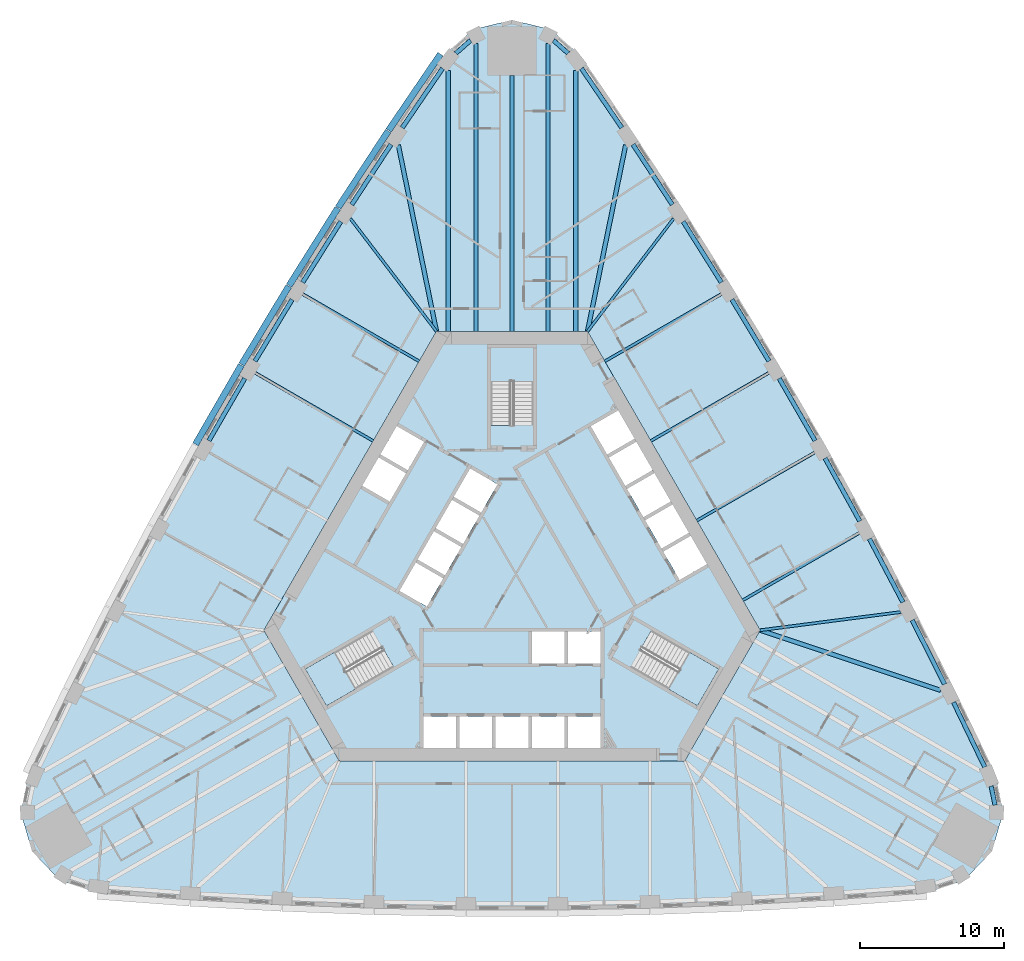
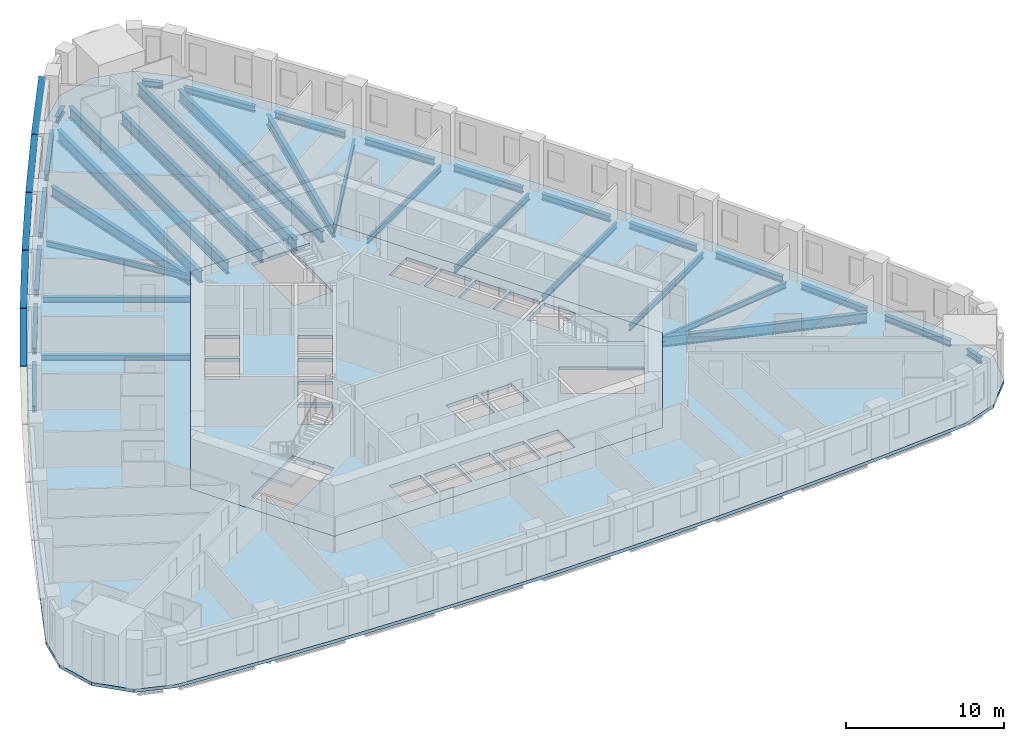
# One storey, part 2 of 12: 34 beams, 5 members, 5 slabs, 3 elements without a shape of their own.
"""IFC4 building model written with IfcOpenShell, lengths in metres."""

import ifcopenshell
import ifcopenshell.guid

model = None  # the IFC model being written
_history = None  # IfcOwnerHistory: only IFC2X3 demands one
_inside = {}  # id of a spatial element -> (the spatial element, [elements in it])
_under = {}  # id of a project, library or spatial element -> (it, [spatial elements below it])
_declared = {}  # id of a project -> (the project, [libraries it declares])
_typed = {}  # id of a type object -> (the type object, [elements of that type])
_made_of = {}  # id of a material, layer set ... -> (it, [elements and type objects made of it])


def new_model(schema):
    """Start an empty IFC model of exactly this schema.

    Asked for "IFC4X3", IfcOpenShell would pick the latest addendum, in which some entities
    have other attributes; the version numbers below select the first issue.
    IFC2X3 requires an IfcOwnerHistory on every rooted entity: one is made here for all.
    """
    global model, _history
    if schema == "IFC4X3":
        model = ifcopenshell.file(schema_version=(4, 3, 0, 0))
    else:
        model = ifcopenshell.file(schema=schema)
    _inside.clear()
    _under.clear()
    _declared.clear()
    _typed.clear()
    _made_of.clear()
    _history = None
    if model.schema == "IFC2X3":
        org = make("IfcOrganization", Name="unknown")
        user = make(
            "IfcPersonAndOrganization",
            ThePerson=make("IfcPerson", FamilyName="unknown"),
            TheOrganization=org,
        )
        app = make(
            "IfcApplication",
            ApplicationDeveloper=org,
            Version="unknown",
            ApplicationFullName="unknown",
            ApplicationIdentifier="unknown",
        )
        _history = make(
            "IfcOwnerHistory",
            OwningUser=user,
            OwningApplication=app,
            ChangeAction="ADDED",
            CreationDate=0,
        )
    return model


def make(cls, **values):
    """One entity of the class cls with the attributes given. An attribute that is None is left unset."""
    return model.create_entity(
        cls, **{name: value for name, value in values.items() if value is not None}
    )


def rooted(cls, **values):
    """An entity with a GlobalId (a new one), such as an element, a storey or a relation."""
    return make(cls, GlobalId=ifcopenshell.guid.new(), OwnerHistory=_history, **values)


def si_unit(unit_type, name, prefix=None):
    """IfcSIUnit, for example si_unit("LENGTHUNIT", "METRE", prefix="MILLI")."""
    return make("IfcSIUnit", UnitType=unit_type, Prefix=prefix, Name=name)


def assignment(units):
    """IfcUnitAssignment: the units of a project."""
    return None if units is None else make("IfcUnitAssignment", Units=units)


def point(xyz):
    """IfcCartesianPoint."""
    return None if xyz is None else make("IfcCartesianPoint", Coordinates=xyz)


def direction(xyz):
    """IfcDirection."""
    return None if xyz is None else make("IfcDirection", DirectionRatios=xyz)


def frame(location, z_axis=None, x_axis=None):
    """IfcAxis2Placement3D, a coordinate frame: its origin and axes. An axis left out is left unset."""
    return make(
        "IfcAxis2Placement3D",
        Location=point(location),
        Axis=direction(z_axis),
        RefDirection=direction(x_axis),
    )


def frame_2d(location, x_axis=None):
    """IfcAxis2Placement2D, a coordinate frame in the plane: its origin and x axis."""
    return make(
        "IfcAxis2Placement2D", Location=point(location), RefDirection=direction(x_axis)
    )


def origin():
    """The frame at (0, 0, 0) with its axes left unset."""
    return frame((0.0, 0.0, 0.0))


def origin_2d():
    """The frame at (0, 0) in the plane with its x axis left unset."""
    return frame_2d((0.0, 0.0))


def place(relative_to, where):
    """IfcLocalPlacement: puts the frame where relative to a parent placement (None: the world)."""
    return make(
        "IfcLocalPlacement", PlacementRelTo=relative_to, RelativePlacement=where
    )


def context(
    kind, dimensions, precision=None, world=None, true_north=None, identifier=None
):
    """IfcGeometricRepresentationContext, for example the 3D "Model" context."""
    return make(
        "IfcGeometricRepresentationContext",
        ContextIdentifier=identifier,
        ContextType=kind,
        CoordinateSpaceDimension=dimensions,
        Precision=precision,
        WorldCoordinateSystem=world,
        TrueNorth=true_north,
    )


def subcontext(parent, identifier, kind, view, scale=None):
    """IfcGeometricRepresentationSubContext, for example "Body" below "Model"."""
    return make(
        "IfcGeometricRepresentationSubContext",
        ContextIdentifier=identifier,
        ContextType=kind,
        ParentContext=parent,
        TargetScale=scale,
        TargetView=view,
    )


def project(units=None, contexts=None):
    """IfcProject with its units and contexts."""
    return rooted(
        "IfcProject",
        Name="project",
        RepresentationContexts=contexts,
        UnitsInContext=assignment(units),
    )


def spatial(cls, under=None, at=None, **own):
    """A site, building, storey or space (cls), placed at a placement, below another one or the project."""
    s = rooted(cls, ObjectPlacement=at, **own)
    if under is not None:
        _under.setdefault(under.id(), (under, []))[1].append(s)
    return s


def polyline(points):
    """IfcPolyline through the points."""
    return make("IfcPolyline", Points=[point(p) for p in points])


def profile(cls, at=None, kind="AREA", **sizes):
    """A parametric profile (cls). Its sizes go by their IFC names, for example OverallWidth=200.0."""
    return make(cls, ProfileType=kind, Position=at, **sizes)


def rectangle(**sizes):
    """IfcRectangleProfileDef."""
    return profile("IfcRectangleProfileDef", **sizes)


def i_section(**sizes):
    """IfcIShapeProfileDef."""
    return profile("IfcIShapeProfileDef", **sizes)


def outline(outer, holes=None, kind="AREA"):
    """IfcArbitraryClosedProfileDef: a profile drawn as a closed curve; with holes, ...WithVoids."""
    if holes is None:
        return make("IfcArbitraryClosedProfileDef", ProfileType=kind, OuterCurve=outer)
    return make(
        "IfcArbitraryProfileDefWithVoids",
        ProfileType=kind,
        OuterCurve=outer,
        InnerCurves=holes,
    )


def extrude(swept, where, along, depth):
    """IfcExtrudedAreaSolid: the profile swept, set in the frame where, extruded along a direction by depth."""
    return make(
        "IfcExtrudedAreaSolid",
        SweptArea=swept,
        Position=where,
        ExtrudedDirection=direction(along),
        Depth=depth,
    )


def shape(context_of_items, identifier, shape_type, items):
    """IfcShapeRepresentation: the items that make up one representation, for example the "Body"."""
    return make(
        "IfcShapeRepresentation",
        ContextOfItems=context_of_items,
        RepresentationIdentifier=identifier,
        RepresentationType=shape_type,
        Items=items,
    )


def material(Name=None, Category=None):
    """IfcMaterial."""
    return make("IfcMaterial", Name=Name, Category=Category)


def layer(
    of_material, thickness, ventilated=None, Name=None, Category=None, Priority=None
):
    """IfcMaterialLayer: one layer of a wall or slab, of a material (None: an air gap)."""
    return make(
        "IfcMaterialLayer",
        Material=of_material,
        LayerThickness=thickness,
        IsVentilated=ventilated,
        Name=Name,
        Category=Category,
        Priority=Priority,
    )


def layer_set(layers, Name=None):
    """IfcMaterialLayerSet."""
    return make("IfcMaterialLayerSet", MaterialLayers=layers, LayerSetName=Name)


def material_profile(
    of_material, cross_section, Name=None, Category=None, Priority=None
):
    """IfcMaterialProfile: a cross section and its material."""
    return make(
        "IfcMaterialProfile",
        Name=Name,
        Material=of_material,
        Profile=cross_section,
        Priority=Priority,
        Category=Category,
    )


def profile_set(profiles, Name=None, composite=None):
    """IfcMaterialProfileSet."""
    return make(
        "IfcMaterialProfileSet",
        Name=Name,
        MaterialProfiles=profiles,
        CompositeProfile=composite,
    )


def made_of(thing, what):
    """Note that an element or type object is made of a material, layer set ...; save() writes the relation."""
    if what is not None:
        _made_of.setdefault(what.id(), (what, []))[1].append(thing)
    return thing


def type_object(cls, material=None, **own):
    """A type object (cls), such as IfcWallType, which elements share."""
    return made_of(rooted(cls, **own), material)


def element(
    cls,
    number,
    at=None,
    inside=None,
    cuts=None,
    type_object=None,
    material=None,
    context=None,
    identifier="Body",
    shape_type=None,
    held_by="IfcProductDefinitionShape",
    body=None,
    shapes=None,
    **own,
):
    """One element of the class cls, such as IfcWall. Its Tag is "e" and its number.

    at: its placement. inside: the storey or other place that contains it. cuts: it is an
    opening in that element (IfcRelVoidsElement). A single representation is given by context,
    identifier, shape_type and body (its items); several are given by shapes. held_by: the class
    of the entity that holds the representations. save() writes the other relations.
    """
    e = rooted(cls, Tag="e%d" % number, ObjectPlacement=at, **own)
    if body is not None:
        shapes = [shape(context, identifier, shape_type, body)]
    if shapes is not None:
        e.Representation = make(held_by, Representations=shapes)
    if inside is not None:
        _inside.setdefault(inside.id(), (inside, []))[1].append(e)
    if cuts is not None:
        rooted(
            "IfcRelVoidsElement", RelatingBuildingElement=cuts, RelatedOpeningElement=e
        )
    if type_object is not None:
        _typed.setdefault(type_object.id(), (type_object, []))[1].append(e)
    return made_of(e, material)


def aggregate(whole, parts):
    """IfcRelAggregates: a whole, such as a stair, and the parts it consists of."""
    return rooted("IfcRelAggregates", RelatingObject=whole, RelatedObjects=parts)


def save(model, path):
    """Write the relations noted so far, then the file.

    IfcRelAggregates (storeys below a building ...), IfcRelContainedInSpatialStructure (elements
    in a storey), IfcRelDefinesByType, IfcRelAssociatesMaterial and IfcRelDeclares: one each for
    every whole, place, type object, material and project.
    """
    for whole, parts in _under.values():
        aggregate(whole, parts)
    for where, things in _inside.values():
        rooted(
            "IfcRelContainedInSpatialStructure",
            RelatedElements=things,
            RelatingStructure=where,
        )
    for kind, things in _typed.values():
        rooted("IfcRelDefinesByType", RelatedObjects=things, RelatingType=kind)
    for what, things in _made_of.values():
        rooted("IfcRelAssociatesMaterial", RelatedObjects=things, RelatingMaterial=what)
    for by, libraries in _declared.values():
        rooted("IfcRelDeclares", RelatingContext=by, RelatedDefinitions=libraries)
    model.write(path)


model = new_model("IFC4")

# Units and contexts
model_context = context("Model", 3, precision=1e-05, world=origin(), true_north=direction((0.0, 1.0)))
body_context = subcontext(model_context, "Body", "Model", "MODEL_VIEW")
ifc_project = project(units=[si_unit("LENGTHUNIT", "METRE"), si_unit("AREAUNIT", "SQUARE_METRE"), si_unit("VOLUMEUNIT", "CUBIC_METRE"), si_unit("PLANEANGLEUNIT", "RADIAN"), si_unit("MASSUNIT", "GRAM", prefix="KILO")], contexts=[model_context])

# Site, building, storey
site_placement = place(None, origin())
site = spatial("IfcSite", under=ifc_project, at=site_placement, CompositionType="ELEMENT")
building_placement = place(site_placement, origin())
building = spatial("IfcBuilding", under=site, at=building_placement, Name="Mestral Congress Tower", CompositionType="ELEMENT")
storey_placement = place(building_placement, frame((0.0, 0.0, 47.10009765625)))
storey = spatial("IfcBuildingStorey", under=building, at=storey_placement, Name="L10", CompositionType="ELEMENT", Elevation=47.10009765625)

# Members
ifc_material_1 = material(Name="Glazed ceramic", Category="masonry")
ifc_material_profile_1 = material_profile(ifc_material_1, rectangle(XDim=0.449951171875, YDim=0.06005859375, at=origin_2d()), Name="Ceramic blade 450 x 60")
ifc_profile_set_1 = profile_set([ifc_material_profile_1], Name="Glazed ceramic")
member_type = type_object("IfcMemberType", Name="Facade sunshade blade 450 x 60", PredefinedType="USERDEFINED", material=ifc_profile_set_1)
member_1_placement = place(storey_placement, frame((-4.973388671875, 36.188232421875, 3.27978515625), z_axis=(-0.562633427576, -0.826706493367, 0.0), x_axis=(0.826706493367, -0.562633427576, 0.0)))
element("IfcMember", 1, at=member_1_placement, inside=storey, type_object=member_type, Name="Sunshade F2-00", ObjectType="SUNSHADE", PredefinedType="USERDEFINED", context=body_context, shape_type="SweptSolid", body=[
    extrude(rectangle(XDim=0.449951171875, YDim=0.06005859375, at=origin_2d()), origin(), (0.0, 0.0, 1.0), 6.4208984375),
])
member_2_placement = place(storey_placement, frame((-8.6103515625, 30.843505859375, 3.27978515625), z_axis=(-0.547211145376, -0.836994601163, 0.0), x_axis=(0.836994601163, -0.547211145376, 0.0)))
element("IfcMember", 2, at=member_2_placement, inside=storey, type_object=member_type, Name="Sunshade F2-01", ObjectType="SUNSHADE", PredefinedType="USERDEFINED", context=body_context, shape_type="SweptSolid", body=[
    extrude(rectangle(XDim=0.449951171875, YDim=0.06005859375, at=origin_2d()), origin(), (0.0, 0.0, 1.0), 6.368408203125),
])
for number, where, z_axis, x_axis, name in (
    (3, (-12.119140625, 25.47607421875, 3.27978515625), (-0.531665815747, -0.846954225662, 0.0), (0.846954225662, -0.531665815747, 0.0), "Sunshade F2-02"),
    (4, (-15.528076171875, 20.044921875, 3.27978515625), (-0.515904518528, -0.856646092481, 0.0), (0.856646092481, -0.515904518528, 0.0), "Sunshade F2-03"),
):
    element("IfcMember", number, at=place(storey_placement, frame(where, z_axis=z_axis, x_axis=x_axis)), inside=storey, type_object=member_type, Name=name, ObjectType="SUNSHADE", PredefinedType="USERDEFINED", context=body_context, shape_type="SweptSolid", body=[
        extrude(rectangle(XDim=0.449951171875, YDim=0.06005859375, at=origin_2d()), origin(), (0.0, 0.0, 1.0), 6.3681640625),
    ])
member_3_placement = place(storey_placement, frame((-18.8359375, 14.5517578125, 3.27978515625), z_axis=(-0.499990149842, -0.866031090701, 0.0), x_axis=(0.866031090701, -0.499990149842, 0.0)))
element("IfcMember", 5, at=member_3_placement, inside=storey, type_object=member_type, Name="Sunshade F2-04", ObjectType="SUNSHADE", PredefinedType="USERDEFINED", context=body_context, shape_type="SweptSolid", body=[
    extrude(rectangle(XDim=0.449951171875, YDim=0.06005859375, at=origin_2d()), origin(), (0.0, 0.0, 1.0), 6.368408203125),
])

# Beams
ifc_material_2 = material(Name="Steel S355", Category="steel")
ifc_material_profile_2 = material_profile(ifc_material_2, i_section(OverallWidth=0.300048828125, OverallDepth=0.800048828125, WebThickness=0.017578125, FlangeThickness=0.032958984375, FilletRadius=0.030029296875, at=origin_2d()), Name="HEB 800")
ifc_profile_set_2 = profile_set([ifc_material_profile_2], Name="Steel S355")
beam_type_1 = type_object("IfcBeamType", Name="Floor beam HEB 800 S355", PredefinedType="BEAM", material=ifc_profile_set_2)
for number, where, z_axis, x_axis, name in (
    (6, (29.8203125, -8.08349609375, -0.650146484375), (-0.948734931285, 0.316072824141, 0.0), (-0.316072824141, -0.948734931285, 0.0), "BM-L10-RB1-E01"),
    (7, (7.90966796875, 29.86669921875, -0.650146484375), (-0.200647311614, -0.979663542418, 0.0), (0.979663542418, -0.200647311614, 0.0), "BM-L10-RB1-E08"),
    (8, (-7.90966796875, 29.86669921875, -0.650146484375), (0.200647311614, -0.979663542418, 0.0), (0.979663542418, 0.200647311614, 0.0), "BM-L10-RB1-W01"),
):
    element("IfcBeam", number, at=place(storey_placement, frame(where, z_axis=z_axis, x_axis=x_axis)), inside=storey, type_object=beam_type_1, Name=name, PredefinedType="BEAM", context=body_context, shape_type="SweptSolid", body=[
        extrude(i_section(OverallWidth=0.300048828125, OverallDepth=0.800048828125, WebThickness=0.017578125, FlangeThickness=0.032958984375, FilletRadius=0.030029296875, at=origin_2d()), origin(), (0.0, 0.0, 1.0), 13.236083984375),
    ])
ifc_material_profile_3 = material_profile(ifc_material_2, i_section(OverallWidth=0.300048828125, OverallDepth=0.89990234375, WebThickness=0.0185546875, FlangeThickness=0.034912109375, FilletRadius=0.030029296875, at=origin_2d()), Name="HEB 900")
ifc_profile_set_3 = profile_set([ifc_material_profile_3], Name="Steel S355")
beam_type_2 = type_object("IfcBeamType", Name="Floor beam HEB 900 S355", PredefinedType="BEAM", material=ifc_profile_set_3)
beam_1_placement = place(storey_placement, frame((4.43603515625, 35.052734375, -0.7001953125), z_axis=(0.0, -1.0, 0.0), x_axis=(1.0, 0.0, 0.0)))
element("IfcBeam", 9, at=beam_1_placement, inside=storey, type_object=beam_type_2, Name="BM-L10-RB1-E09", PredefinedType="BEAM", context=body_context, shape_type="SweptSolid", body=[
    extrude(i_section(OverallWidth=0.300048828125, OverallDepth=0.89990234375, WebThickness=0.0185546875, FlangeThickness=0.034912109375, FilletRadius=0.030029296875, at=origin_2d()), origin(), (0.0, 0.0, 1.0), 18.15283203125),
])
beam_2_placement = place(storey_placement, frame((2.503173828125, 36.91943359375, -0.7001953125), z_axis=(0.0, -1.0, 0.0), x_axis=(1.0, 0.0, 0.0)))
element("IfcBeam", 10, at=beam_2_placement, inside=storey, type_object=beam_type_2, Name="BM-L10-RB1-N1", PredefinedType="BEAM", context=body_context, shape_type="SweptSolid", body=[
    extrude(i_section(OverallWidth=0.300048828125, OverallDepth=0.89990234375, WebThickness=0.0185546875, FlangeThickness=0.034912109375, FilletRadius=0.030029296875, at=origin_2d()), origin(), (0.0, 0.0, 1.0), 20.01953125),
])
beam_3_placement = place(storey_placement, frame((0.0, 34.698974609375, -0.7001953125), z_axis=(0.0, -1.0, 0.0), x_axis=(1.0, 0.0, 0.0)))
element("IfcBeam", 11, at=beam_3_placement, inside=storey, type_object=beam_type_2, Name="BM-L10-RB1-N", PredefinedType="BEAM", context=body_context, shape_type="SweptSolid", body=[
    extrude(i_section(OverallWidth=0.300048828125, OverallDepth=0.89990234375, WebThickness=0.0185546875, FlangeThickness=0.034912109375, FilletRadius=0.030029296875, at=origin_2d()), origin(), (0.0, 0.0, 1.0), 17.799072265625),
])
beam_4_placement = place(storey_placement, frame((-2.503173828125, 36.91943359375, -0.7001953125), z_axis=(0.0, -1.0, 0.0), x_axis=(1.0, 0.0, 0.0)))
element("IfcBeam", 12, at=beam_4_placement, inside=storey, type_object=beam_type_2, Name="BM-L10-RB1-N3", PredefinedType="BEAM", context=body_context, shape_type="SweptSolid", body=[
    extrude(i_section(OverallWidth=0.300048828125, OverallDepth=0.89990234375, WebThickness=0.0185546875, FlangeThickness=0.034912109375, FilletRadius=0.030029296875, at=origin_2d()), origin(), (0.0, 0.0, 1.0), 20.01953125),
])
beam_5_placement = place(storey_placement, frame((-4.43603515625, 35.052734375, -0.7001953125), z_axis=(0.0, -1.0, 0.0), x_axis=(1.0, 0.0, 0.0)))
element("IfcBeam", 13, at=beam_5_placement, inside=storey, type_object=beam_type_2, Name="BM-L10-RB1-W00", PredefinedType="BEAM", context=body_context, shape_type="SweptSolid", body=[
    extrude(i_section(OverallWidth=0.300048828125, OverallDepth=0.89990234375, WebThickness=0.0185546875, FlangeThickness=0.034912109375, FilletRadius=0.030029296875, at=origin_2d()), origin(), (0.0, 0.0, 1.0), 18.15283203125),
])
ifc_material_profile_4 = material_profile(ifc_material_2, i_section(OverallWidth=0.18994140625, OverallDepth=0.449951171875, WebThickness=0.009521484375, FlangeThickness=0.0146484375, FilletRadius=0.02099609375, at=origin_2d()), Name="IPE 450")
ifc_profile_set_4 = profile_set([ifc_material_profile_4], Name="Steel S355")
beam_type_3 = type_object("IfcBeamType", Name="Floor beam IPE 450 S355", PredefinedType="BEAM", material=ifc_profile_set_4)
beam_6_placement = place(storey_placement, frame((27.058349609375, -2.6337890625, -0.47509765625), z_axis=(-0.99175011495, -0.128186229747, 0.0), x_axis=(0.128186229747, -0.99175011495, 0.0)))
element("IfcBeam", 14, at=beam_6_placement, inside=storey, type_object=beam_type_3, Name="BM-L10-RB1-E02", PredefinedType="BEAM", context=body_context, shape_type="SweptSolid", body=[
    extrude(i_section(OverallWidth=0.18994140625, OverallDepth=0.449951171875, WebThickness=0.009521484375, FlangeThickness=0.0146484375, FilletRadius=0.02099609375, at=origin_2d()), origin(), (0.0, 0.0, 1.0), 9.877197265625),
])
beam_7_placement = place(storey_placement, frame((24.150634765625, 2.859619140625, -0.47509765625), z_axis=(-0.866032011123, -0.499988555579, 0.0), x_axis=(0.499988555579, -0.866032011123, 0.0)))
element("IfcBeam", 15, at=beam_7_placement, inside=storey, type_object=beam_type_3, Name="BM-L10-RB1-E03", PredefinedType="BEAM", context=body_context, shape_type="SweptSolid", body=[
    extrude(i_section(OverallWidth=0.18994140625, OverallDepth=0.449951171875, WebThickness=0.009521484375, FlangeThickness=0.0146484375, FilletRadius=0.02099609375, at=origin_2d()), origin(), (0.0, 0.0, 1.0), 9.344970703125),
])
for number, where, z_axis, x_axis, name in (
    (16, (21.0537109375, 8.46044921875, -0.47509765625), (-0.866019749231, -0.500009793847, 0.0), (0.500009793847, -0.866019749231, 0.0), "BM-L10-RB1-E04"),
    (17, (17.853759765625, 14.0029296875, -0.47509765625), (-0.866019749231, -0.500009793847, 0.0), (0.500009793847, -0.866019749231, 0.0), "BM-L10-RB1-E05"),
):
    element("IfcBeam", number, at=place(storey_placement, frame(where, z_axis=z_axis, x_axis=x_axis)), inside=storey, type_object=beam_type_3, Name=name, PredefinedType="BEAM", context=body_context, shape_type="SweptSolid", body=[
        extrude(i_section(OverallWidth=0.18994140625, OverallDepth=0.449951171875, WebThickness=0.009521484375, FlangeThickness=0.0146484375, FilletRadius=0.02099609375, at=origin_2d()), origin(), (0.0, 0.0, 1.0), 9.463134765625),
    ])
beam_8_placement = place(storey_placement, frame((14.5517578125, 19.485107421875, -0.47509765625), z_axis=(-0.866025479842, -0.499999868264, 0.0), x_axis=(0.499999868264, -0.866025479842, 0.0)))
element("IfcBeam", 18, at=beam_8_placement, inside=storey, type_object=beam_type_3, Name="BM-L10-RB1-E06", PredefinedType="BEAM", context=body_context, shape_type="SweptSolid", body=[
    extrude(i_section(OverallWidth=0.18994140625, OverallDepth=0.449951171875, WebThickness=0.009521484375, FlangeThickness=0.0146484375, FilletRadius=0.02099609375, at=origin_2d()), origin(), (0.0, 0.0, 1.0), 9.3447265625),
])
for number, where, z_axis, x_axis, name in (
    (19, (11.248291015625, 24.75, -0.47509765625), (-0.606898557801, -0.794779303039, 0.0), (0.794779303039, -0.606898557801, 0.0), "BM-L10-RB1-E07"),
    (20, (-11.248291015625, 24.75, -0.47509765625), (0.606898557801, -0.794779303039, 0.0), (0.794779303039, 0.606898557801, 0.0), "BM-L10-RB1-W02"),
):
    element("IfcBeam", number, at=place(storey_placement, frame(where, z_axis=z_axis, x_axis=x_axis)), inside=storey, type_object=beam_type_3, Name=name, PredefinedType="BEAM", context=body_context, shape_type="SweptSolid", body=[
        extrude(i_section(OverallWidth=0.18994140625, OverallDepth=0.449951171875, WebThickness=0.009521484375, FlangeThickness=0.0146484375, FilletRadius=0.02099609375, at=origin_2d()), origin(), (0.0, 0.0, 1.0), 9.877197265625),
    ])
beam_9_placement = place(storey_placement, frame((-14.5517578125, 19.485107421875, -0.47509765625), z_axis=(0.866025479842, -0.499999868264, 0.0), x_axis=(0.499999868264, 0.866025479842, 0.0)))
element("IfcBeam", 21, at=beam_9_placement, inside=storey, type_object=beam_type_3, Name="BM-L10-RB1-W03", PredefinedType="BEAM", context=body_context, shape_type="SweptSolid", body=[
    extrude(i_section(OverallWidth=0.18994140625, OverallDepth=0.449951171875, WebThickness=0.009521484375, FlangeThickness=0.0146484375, FilletRadius=0.02099609375, at=origin_2d()), origin(), (0.0, 0.0, 1.0), 9.3447265625),
])
beam_10_placement = place(storey_placement, frame((-17.853759765625, 14.0029296875, -0.47509765625), z_axis=(0.866019749231, -0.500009793847, 0.0), x_axis=(0.500009793847, 0.866019749231, 0.0)))
element("IfcBeam", 22, at=beam_10_placement, inside=storey, type_object=beam_type_3, Name="BM-L10-RB1-W04", PredefinedType="BEAM", context=body_context, shape_type="SweptSolid", body=[
    extrude(i_section(OverallWidth=0.18994140625, OverallDepth=0.449951171875, WebThickness=0.009521484375, FlangeThickness=0.0146484375, FilletRadius=0.02099609375, at=origin_2d()), origin(), (0.0, 0.0, 1.0), 9.463134765625),
])
ifc_material_profile_5 = material_profile(ifc_material_2, i_section(OverallWidth=0.300048828125, OverallDepth=0.489990234375, WebThickness=0.011962890625, FlangeThickness=0.02294921875, FilletRadius=0.027099609375, at=origin_2d()), Name="HEA 500")
ifc_profile_set_5 = profile_set([ifc_material_profile_5], Name="Steel S355")
beam_type_4 = type_object("IfcBeamType", Name="Spandrel beam HEA 500 S355", PredefinedType="BEAM", material=ifc_profile_set_5)
beam_11_placement = place(storey_placement, frame((33.611328125, -16.0693359375, -0.4951171875), z_axis=(-0.197991750859, 0.980203686277, 0.0), x_axis=(-0.980203686277, -0.197991750859, 0.0)))
element("IfcBeam", 23, at=beam_11_placement, inside=storey, type_object=beam_type_4, Name="SP-L10-SB1-SE3", PredefinedType="BEAM", context=body_context, shape_type="SweptSolid", body=[
    extrude(i_section(OverallWidth=0.300048828125, OverallDepth=0.489990234375, WebThickness=0.011962890625, FlangeThickness=0.02294921875, FilletRadius=0.027099609375, at=origin_2d()), origin(), (0.0, 0.0, 1.0), 1.3515625),
])
beam_12_placement = place(storey_placement, frame((32.897705078125, -13.415283203125, -0.4951171875), z_axis=(-0.434645244295, 0.900601749727, 0.0), x_axis=(-0.900601749727, -0.434645244295, 0.0)))
element("IfcBeam", 24, at=beam_12_placement, inside=storey, type_object=beam_type_4, Name="SP-L10-SB1-E00", PredefinedType="BEAM", context=body_context, shape_type="SweptSolid", body=[
    extrude(i_section(OverallWidth=0.300048828125, OverallDepth=0.489990234375, WebThickness=0.011962890625, FlangeThickness=0.02294921875, FilletRadius=0.027099609375, at=origin_2d()), origin(), (0.0, 0.0, 1.0), 4.998046875),
])
beam_13_placement = place(storey_placement, frame((30.105224609375, -7.658935546875, -0.4951171875), z_axis=(-0.45123261425, 0.892406369227, 0.0), x_axis=(-0.892406369227, -0.45123261425, 0.0)))
element("IfcBeam", 25, at=beam_13_placement, inside=storey, type_object=beam_type_4, Name="SP-L10-SB1-E01", PredefinedType="BEAM", context=body_context, shape_type="SweptSolid", body=[
    extrude(i_section(OverallWidth=0.300048828125, OverallDepth=0.489990234375, WebThickness=0.011962890625, FlangeThickness=0.02294921875, FilletRadius=0.027099609375, at=origin_2d()), origin(), (0.0, 0.0, 1.0), 4.999755859375),
])
beam_14_placement = place(storey_placement, frame((27.2060546875, -1.95361328125, -0.4951171875), z_axis=(-0.467681307417, 0.883897162962, 0.0), x_axis=(-0.883897162962, -0.467681307417, 0.0)))
element("IfcBeam", 26, at=beam_14_placement, inside=storey, type_object=beam_type_4, Name="SP-L10-SB1-E02", PredefinedType="BEAM", context=body_context, shape_type="SweptSolid", body=[
    extrude(i_section(OverallWidth=0.300048828125, OverallDepth=0.489990234375, WebThickness=0.011962890625, FlangeThickness=0.02294921875, FilletRadius=0.027099609375, at=origin_2d()), origin(), (0.0, 0.0, 1.0), 5.0),
])
for number, where, z_axis, x_axis, name in (
    (27, (24.20166015625, 3.697265625, -0.4951171875), (-0.483900688062, 0.875122919419, 0.0), (-0.875122919419, -0.483900688062, 0.0), "SP-L10-SB1-E03"),
    (28, (21.093505859375, 9.291748046875, -0.4951171875), (-0.50002537861, 0.866010750942, 0.0), (-0.866010750942, -0.50002537861, 0.0), "SP-L10-SB1-E04"),
    (29, (17.88232421875, 14.82763671875, -0.4951171875), (-0.515938385622, 0.85662569553, 0.0), (-0.85662569553, -0.515938385622, 0.0), "SP-L10-SB1-E05"),
    (30, (14.5693359375, 20.302978515625, -0.4951171875), (-0.531661433361, 0.846956976639, 0.0), (-0.846956976639, -0.531661433361, 0.0), "SP-L10-SB1-E06"),
):
    element("IfcBeam", number, at=place(storey_placement, frame(where, z_axis=z_axis, x_axis=x_axis)), inside=storey, type_object=beam_type_4, Name=name, PredefinedType="BEAM", context=body_context, shape_type="SweptSolid", body=[
        extrude(i_section(OverallWidth=0.300048828125, OverallDepth=0.489990234375, WebThickness=0.011962890625, FlangeThickness=0.02294921875, FilletRadius=0.027099609375, at=origin_2d()), origin(), (0.0, 0.0, 1.0), 4.999755859375),
    ])
beam_15_placement = place(storey_placement, frame((11.156005859375, 25.716552734375, -0.4951171875), z_axis=(-0.547263834194, 0.836960151849, 0.0), x_axis=(-0.836960151849, -0.547263834194, 0.0)))
element("IfcBeam", 31, at=beam_15_placement, inside=storey, type_object=beam_type_4, Name="SP-L10-SB1-E07", PredefinedType="BEAM", context=body_context, shape_type="SweptSolid", body=[
    extrude(i_section(OverallWidth=0.300048828125, OverallDepth=0.489990234375, WebThickness=0.011962890625, FlangeThickness=0.02294921875, FilletRadius=0.027099609375, at=origin_2d()), origin(), (0.0, 0.0, 1.0), 5.0),
])
beam_16_placement = place(storey_placement, frame((7.642822265625, 31.06591796875, -0.4951171875), z_axis=(-0.562610596841, 0.826722030868, 0.0), x_axis=(-0.826722030868, -0.562610596841, 0.0)))
element("IfcBeam", 32, at=beam_16_placement, inside=storey, type_object=beam_type_4, Name="SP-L10-SB1-E08", PredefinedType="BEAM", context=body_context, shape_type="SweptSolid", body=[
    extrude(i_section(OverallWidth=0.300048828125, OverallDepth=0.489990234375, WebThickness=0.011962890625, FlangeThickness=0.02294921875, FilletRadius=0.027099609375, at=origin_2d()), origin(), (0.0, 0.0, 1.0), 4.998046875),
])
for number, where, z_axis, x_axis, name in (
    (33, (3.902587890625, 36.248779296875, -0.4951171875), (-0.749806226219, 0.661657481725, 0.0), (-0.661657481725, -0.749806226219, 0.0), "SP-L10-SB1-E09"),
    (34, (-2.88916015625, 37.14306640625, -0.4951171875), (-0.749806226219, -0.661657481725, 0.0), (0.661657481725, -0.749806226219, 0.0), "SP-L10-SB1-N3"),
):
    element("IfcBeam", number, at=place(storey_placement, frame(where, z_axis=z_axis, x_axis=x_axis)), inside=storey, type_object=beam_type_4, Name=name, PredefinedType="BEAM", context=body_context, shape_type="SweptSolid", body=[
        extrude(i_section(OverallWidth=0.300048828125, OverallDepth=0.489990234375, WebThickness=0.011962890625, FlangeThickness=0.02294921875, FilletRadius=0.027099609375, at=origin_2d()), origin(), (0.0, 0.0, 1.0), 1.3515625),
    ])
beam_17_placement = place(storey_placement, frame((-4.830810546875, 35.197998046875, -0.4951171875), z_axis=(-0.562610596841, -0.826722030868, 0.0), x_axis=(0.826722030868, -0.562610596841, 0.0)))
element("IfcBeam", 35, at=beam_17_placement, inside=storey, type_object=beam_type_4, Name="SP-L10-SB1-W00", PredefinedType="BEAM", context=body_context, shape_type="SweptSolid", body=[
    extrude(i_section(OverallWidth=0.300048828125, OverallDepth=0.489990234375, WebThickness=0.011962890625, FlangeThickness=0.02294921875, FilletRadius=0.027099609375, at=origin_2d()), origin(), (0.0, 0.0, 1.0), 4.998046875),
])
beam_18_placement = place(storey_placement, frame((-8.419677734375, 29.9013671875, -0.4951171875), z_axis=(-0.547263834194, -0.836960151849, 0.0), x_axis=(0.836960151849, -0.547263834194, 0.0)))
element("IfcBeam", 36, at=beam_18_placement, inside=storey, type_object=beam_type_4, Name="SP-L10-SB1-W01", PredefinedType="BEAM", context=body_context, shape_type="SweptSolid", body=[
    extrude(i_section(OverallWidth=0.300048828125, OverallDepth=0.489990234375, WebThickness=0.011962890625, FlangeThickness=0.02294921875, FilletRadius=0.027099609375, at=origin_2d()), origin(), (0.0, 0.0, 1.0), 5.0),
])
for number, where, z_axis, x_axis, name in (
    (37, (-11.9111328125, 24.53759765625, -0.4951171875), (-0.531661433361, -0.846956976639, 0.0), (0.846956976639, -0.531661433361, 0.0), "SP-L10-SB1-W02"),
    (38, (-15.302734375, 19.110595703125, -0.4951171875), (-0.515938385622, -0.85662569553, 0.0), (0.85662569553, -0.515938385622, 0.0), "SP-L10-SB1-W03"),
    (39, (-18.593505859375, 13.62158203125, -0.4951171875), (-0.50002537861, -0.866010750942, 0.0), (0.866010750942, -0.50002537861, 0.0), "SP-L10-SB1-W04"),
):
    element("IfcBeam", number, at=place(storey_placement, frame(where, z_axis=z_axis, x_axis=x_axis)), inside=storey, type_object=beam_type_4, Name=name, PredefinedType="BEAM", context=body_context, shape_type="SweptSolid", body=[
        extrude(i_section(OverallWidth=0.300048828125, OverallDepth=0.489990234375, WebThickness=0.011962890625, FlangeThickness=0.02294921875, FilletRadius=0.027099609375, at=origin_2d()), origin(), (0.0, 0.0, 1.0), 4.999755859375),
    ])

# Slabs
ifc_material_3 = material(Name="Concrete C35/45", Category="concrete")
ifc_layer_1 = layer(ifc_material_3, 0.25)
ifc_layer_set_1 = layer_set([ifc_layer_1], Name="Concrete C35/45")
slab_type_1 = type_object("IfcSlabType", Name="Composite floor slab 250", PredefinedType="FLOOR", material=ifc_layer_set_1)
placement_1 = place(storey_placement, frame((0.0, 0.0, -0.25)))
element("IfcSlab", 40, at=placement_1, inside=storey, type_object=slab_type_1, Name="SL-L10", PredefinedType="FLOOR", context=body_context, shape_type="SweptSolid", body=[
    extrude(outline(polyline([(-28.8564453125, -22.17529296875), (-31.45849609375, -21.301025390625), (-33.39599609375, -19.28125), (-34.176513671875, -16.59326171875), (-33.6328125, -13.90283203125), (-30.824462890625, -8.084228515625), (-27.93310546875, -2.365478515625), (-24.936279296875, 3.298828125), (-21.835205078125, 8.90673828125), (-18.631103515625, 14.45654296875), (-15.324951171875, 19.946044921875), (-11.91796875, 25.373291015625), (-8.4111328125, 30.737060546875), (-4.776123046875, 36.078125), (-2.718017578125, 37.894287109375), (0.0, 38.562255859375), (2.718017578125, 37.894287109375), (4.776123046875, 36.078125), (8.4111328125, 30.737060546875), (11.91796875, 25.373291015625), (15.324951171875, 19.946044921875), (18.631103515625, 14.45654296875), (21.835205078125, 8.90673828125), (24.936279296875, 3.298828125), (27.93310546875, -2.365478515625), (30.824462890625, -8.084228515625), (33.6328125, -13.90283203125), (34.176513671875, -16.59326171875), (33.39599609375, -19.28125), (31.45849609375, -21.301025390625), (28.8564453125, -22.17529296875), (22.41357421875, -22.652587890625), (16.01513671875, -23.0078125), (9.611083984375, -23.244873046875), (3.2041015625, -23.36328125), (-3.2041015625, -23.36328125), (-9.611083984375, -23.244873046875), (-16.01513671875, -23.0078125), (-22.41357421875, -22.652587890625), (-28.8564453125, -22.17529296875)]), holes=[polyline([(-5.25390625, 16.89990234375), (-17.2626953125, -3.89990234375), (-12.0087890625, -13.0), (12.0087890625, -13.0), (17.2626953125, -3.89990234375), (5.25390625, 16.89990234375), (-5.25390625, 16.89990234375)])]), origin(), (0.0, 0.0, 1.0), 0.25),
])
ifc_material_4 = material(Name="Concrete C60/75", Category="concrete")
ifc_layer_2 = layer(ifc_material_4, 0.25)
ifc_layer_set_2 = layer_set([ifc_layer_2], Name="Concrete C60/75")
slab_type_2 = type_object("IfcSlabType", Name="Core floor slab RC 250", PredefinedType="FLOOR", material=ifc_layer_set_2)
element("IfcSlab", 41, at=placement_1, inside=storey, type_object=slab_type_2, Name="L10 core floor", PredefinedType="FLOOR", context=body_context, shape_type="SweptSolid", body=[
    extrude(outline(polyline([(12.0087890625, -13.0), (-12.0087890625, -13.0), (-17.2626953125, -3.89990234375), (-5.25390625, 16.89990234375), (5.25390625, 16.89990234375), (17.2626953125, -3.89990234375), (12.0087890625, -13.0)]), holes=[polyline([(-3.905029296875, -9.89990234375), (-6.175048828125, -9.89990234375), (-6.175048828125, -12.10009765625), (-3.905029296875, -12.10009765625), (-3.905029296875, -9.89990234375)]), polyline([(-1.385009765625, -9.89990234375), (-3.655029296875, -9.89990234375), (-3.655029296875, -12.10009765625), (-1.385009765625, -12.10009765625), (-1.385009765625, -9.89990234375)]), polyline([(1.135009765625, -9.89990234375), (-1.135009765625, -9.89990234375), (-1.135009765625, -12.10009765625), (1.135009765625, -12.10009765625), (1.135009765625, -9.89990234375)]), polyline([(-9.0673828125, -5.235107421875), (-9.8046875, -3.95751953125), (-14.37744140625, -6.59765625), (-12.90234375, -9.15234375), (-8.234619140625, -6.45751953125), (-8.971923828125, -5.179931640625), (-9.0673828125, -5.235107421875)]), polyline([(-7.826904296875, -1.156494140625), (-5.921630859375, -2.256591796875), (-4.78662109375, -0.29052734375), (-6.69189453125, 0.809326171875), (-7.826904296875, -1.156494140625)]), polyline([(-4.66162109375, -0.07421875), (-3.526611328125, 1.8916015625), (-5.431884765625, 2.99169921875), (-6.56689453125, 1.02587890625), (-4.66162109375, -0.07421875)]), polyline([(-3.401611328125, 2.1083984375), (-2.2666015625, 4.07421875), (-4.171875, 5.174072265625), (-5.306884765625, 3.208251953125), (-3.401611328125, 2.1083984375)]), polyline([(-2.1416015625, 4.29052734375), (-1.006591796875, 6.256591796875), (-2.911865234375, 7.3564453125), (-4.046875, 5.390625), (-2.1416015625, 4.29052734375)]), polyline([(-10.41650390625, 6.158203125), (-8.51123046875, 5.058349609375), (-7.376220703125, 7.024169921875), (-9.281494140625, 8.1240234375), (-10.41650390625, 6.158203125)]), polyline([(-9.156494140625, 8.340576171875), (-7.251220703125, 7.240478515625), (-6.1162109375, 9.20654296875), (-8.021484375, 10.306396484375), (-9.156494140625, 8.340576171875)]), polyline([(1.47509765625, 10.469970703125), (1.47509765625, 15.75), (-1.47509765625, 15.75), (-1.47509765625, 10.360107421875), (0.0, 10.360107421875), (0.0, 10.469970703125), (1.47509765625, 10.469970703125)]), polyline([(3.655029296875, -9.89990234375), (1.385009765625, -9.89990234375), (1.385009765625, -12.10009765625), (3.655029296875, -12.10009765625), (3.655029296875, -9.89990234375)]), polyline([(6.175048828125, -9.89990234375), (3.905029296875, -9.89990234375), (3.905029296875, -12.10009765625), (6.175048828125, -12.10009765625), (6.175048828125, -9.89990234375)]), polyline([(9.0673828125, -5.235107421875), (8.329833984375, -6.512451171875), (12.90234375, -9.15234375), (14.37744140625, -6.59765625), (9.70947265625, -3.902587890625), (8.971923828125, -5.179931640625), (9.0673828125, -5.235107421875)]), polyline([(3.655029296875, -6.199951171875), (3.655029296875, -4.0), (1.385009765625, -4.0), (1.385009765625, -6.199951171875), (3.655029296875, -6.199951171875)]), polyline([(6.175048828125, -4.0), (3.905029296875, -4.0), (3.905029296875, -6.199951171875), (6.175048828125, -6.199951171875), (6.175048828125, -4.0)]), polyline([(12.431396484375, 2.668212890625), (10.526123046875, 1.568115234375), (11.6611328125, -0.397705078125), (13.56640625, 0.702392578125), (12.431396484375, 2.668212890625)]), polyline([(11.17138671875, 4.8505859375), (9.26611328125, 3.75048828125), (10.401123046875, 1.78466796875), (12.306396484375, 2.884765625), (11.17138671875, 4.8505859375)]), polyline([(8.006103515625, 5.932861328125), (9.14111328125, 3.967041015625), (11.04638671875, 5.067138671875), (9.911376953125, 7.032958984375), (8.006103515625, 5.932861328125)]), polyline([(8.6513671875, 9.21533203125), (6.74609375, 8.115234375), (7.881103515625, 6.1494140625), (9.786376953125, 7.24951171875), (8.6513671875, 9.21533203125)]), polyline([(7.391357421875, 11.397705078125), (5.486083984375, 10.297607421875), (6.62109375, 8.331787109375), (8.5263671875, 9.431884765625), (7.391357421875, 11.397705078125)])]), origin(), (0.0, 0.0, 1.0), 0.25),
])

# Stair, slab
stair_type = type_object("IfcStairType", Name="Exit stair 1400", PredefinedType="HALF_TURN_STAIR", material=ifc_material_4)
placement_2 = place(storey_placement, origin())
stair_1 = element("IfcStair", 42, at=placement_2, inside=storey, type_object=stair_type, Name="L10 ST1", PredefinedType="HALF_TURN_STAIR")
ifc_layer_3 = layer(ifc_material_4, 0.199951171875)
ifc_layer_set_3 = layer_set([ifc_layer_3], Name="Concrete C60/75")
slab_type_3 = type_object("IfcSlabType", Name="Exit stair landing 200", PredefinedType="LANDING", material=ifc_layer_set_3)
placement_3 = place(storey_placement, frame((0.0, 0.0, 1.75)))
slab_3 = element("IfcSlab", 43, at=placement_3, type_object=slab_type_3, Name="ST1 landing 1", PredefinedType="LANDING", context=body_context, shape_type="SweptSolid", body=[
    extrude(outline(polyline([(10.879638671875, -7.99609375), (12.364501953125, -5.424072265625), (14.39111328125, -6.593994140625), (12.906005859375, -9.166015625), (10.879638671875, -7.99609375)])), origin(), (0.0, 0.0, 1.0), 0.199951171875),
])
aggregate(stair_1, [slab_3])

stair_2 = element("IfcStair", 44, at=placement_2, inside=storey, type_object=stair_type, Name="L10 ST2", PredefinedType="HALF_TURN_STAIR")
slab_4 = element("IfcSlab", 45, at=placement_3, type_object=slab_type_3, Name="ST2 landing 1", PredefinedType="LANDING", context=body_context, shape_type="SweptSolid", body=[
    extrude(outline(polyline([(1.485107421875, 13.419921875), (-1.485107421875, 13.419921875), (-1.485107421875, 15.760009765625), (1.485107421875, 15.760009765625), (1.485107421875, 13.419921875)])), origin(), (0.0, 0.0, 1.0), 0.199951171875),
])
aggregate(stair_2, [slab_4])

stair_3 = element("IfcStair", 46, at=placement_2, inside=storey, type_object=stair_type, Name="L10 ST3", PredefinedType="HALF_TURN_STAIR")
slab_5 = element("IfcSlab", 47, at=placement_3, type_object=slab_type_3, Name="ST3 landing 1", PredefinedType="LANDING", context=body_context, shape_type="SweptSolid", body=[
    extrude(outline(polyline([(-12.364501953125, -5.424072265625), (-10.879638671875, -7.99609375), (-12.906005859375, -9.166015625), (-14.39111328125, -6.593994140625), (-12.364501953125, -5.424072265625)])), origin(), (0.0, 0.0, 1.0), 0.199951171875),
])
aggregate(stair_3, [slab_5])

save(model, "model.ifc")
